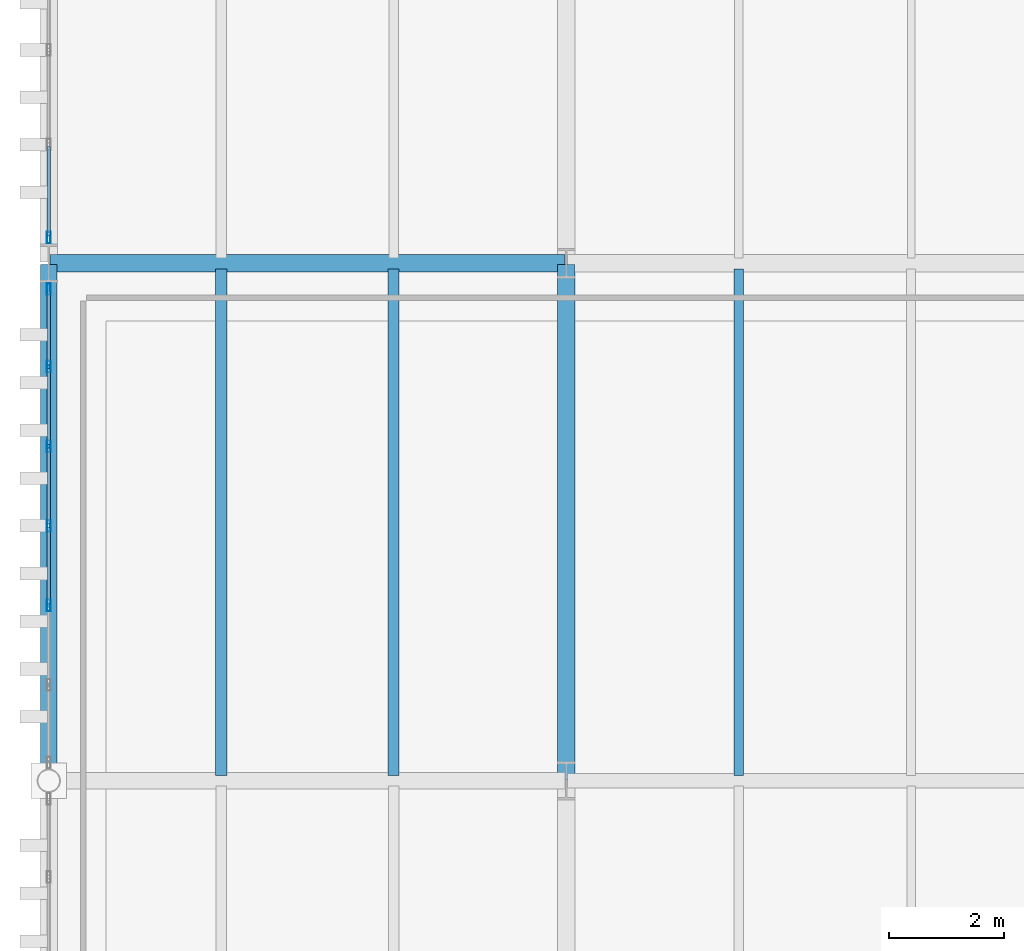
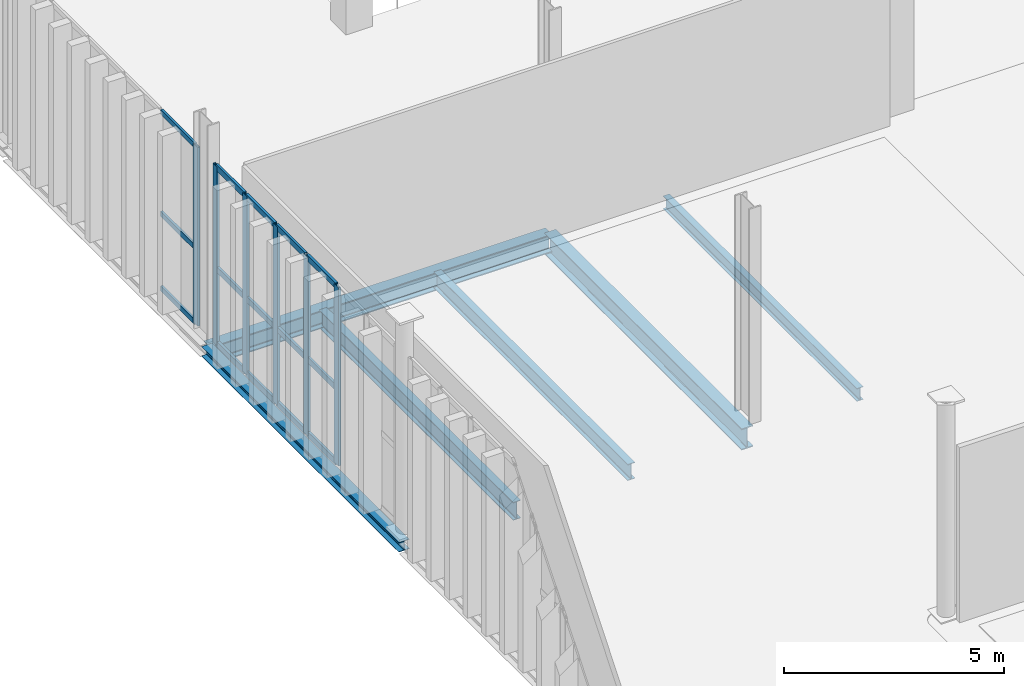
# One storey, part 49 of 211: 21 members, 6 beams, 2 elements without a shape of their own.
"""IFC4 building model written with IfcOpenShell, lengths in metres."""

from ifc_helpers import new_model, si_unit, direction, frame, origin, origin_2d, place, context, subcontext, project, spatial, hollow_rectangle, i_section, extrude, material, layer, layer_set, material_profile, profile_set, type_object, element, aggregate, save


model = new_model("IFC4")

# Units and contexts
model_context = context("Model", 3, precision=1e-05, world=origin(), true_north=direction((0.0, 1.0)))
body_context = subcontext(model_context, "Body", "Model", "MODEL_VIEW")
ifc_project = project(units=[si_unit("LENGTHUNIT", "METRE"), si_unit("AREAUNIT", "SQUARE_METRE"), si_unit("VOLUMEUNIT", "CUBIC_METRE"), si_unit("PLANEANGLEUNIT", "RADIAN"), si_unit("MASSUNIT", "GRAM", prefix="KILO")], contexts=[model_context])

# Site, building, storey
site_placement = place(None, origin())
site = spatial("IfcSite", under=ifc_project, at=site_placement, CompositionType="ELEMENT")
building_placement = place(site_placement, origin())
building = spatial("IfcBuilding", under=site, at=building_placement, Name="Barlavento Convention Centre", CompositionType="ELEMENT")
storey_placement = place(building_placement, frame((0.0, 0.0, 6.0)))
storey = spatial("IfcBuildingStorey", under=building, at=storey_placement, Name="L01", CompositionType="ELEMENT", Elevation=6.0)

# Curtain wall, members
ifc_material_1 = material(Name="Powder-coated aluminium and Low-E glass", Category="aluminium")
ifc_layer_1 = layer(ifc_material_1, 0.18505859375)
ifc_layer_set_1 = layer_set([ifc_layer_1], Name="ARC-CW-CONG-L01")
curtain_wall_type_1 = type_object("IfcCurtainWallType", Name="ARC-CW-CONG-L01", PredefinedType="NOTDEFINED", material=ifc_layer_set_1)
curtain_wall_1_placement = place(storey_placement, origin())
curtain_wall_1 = element("IfcCurtainWall", 1, at=curtain_wall_1_placement, inside=storey, type_object=curtain_wall_type_1, Name="L01 unitised curtain wall CW01", PredefinedType="NOTDEFINED")
ifc_material_2 = material(Name="Powder-coated aluminium", Category="aluminium")
ifc_material_profile_1 = material_profile(ifc_material_2, hollow_rectangle(XDim=0.06494140625, YDim=0.199951171875, WallThickness=0.0048828125, at=origin_2d()), Name="AL-MULL 65x200x5")
ifc_profile_set_1 = profile_set([ifc_material_profile_1], Name="Powder-coated aluminium")
member_type_1 = type_object("IfcMemberType", Name="ARC-CWM-65X200", PredefinedType="MULLION", material=ifc_profile_set_1)
member_1_placement = place(storey_placement, frame((0.0, 48.05078125, 0.0), z_axis=(0.0, 0.0, 1.0), x_axis=(-1.0, 0.0, 0.0)))
member_1 = element("IfcMember", 2, at=member_1_placement, type_object=member_type_1, Name="CW01 mullion 3", PredefinedType="MULLION", context=body_context, shape_type="SweptSolid", body=[
    extrude(hollow_rectangle(XDim=0.06494140625, YDim=0.199951171875, WallThickness=0.0048828125, at=origin_2d()), origin(), (0.0, 0.0, 1.0), 4.949951171875),
])
member_2_placement = place(storey_placement, frame((0.0, 49.4345703125, 0.0), z_axis=(0.0, 0.0, 1.0), x_axis=(-1.0, 0.0, 0.0)))
member_2 = element("IfcMember", 3, at=member_2_placement, type_object=member_type_1, Name="CW01 mullion 4", PredefinedType="MULLION", context=body_context, shape_type="SweptSolid", body=[
    extrude(hollow_rectangle(XDim=0.06494140625, YDim=0.199951171875, WallThickness=0.0048828125, at=origin_2d()), origin(), (0.0, 0.0, 1.0), 4.949951171875),
])
member_3_placement = place(storey_placement, frame((0.0, 50.818359375, 0.0), z_axis=(0.0, 0.0, 1.0), x_axis=(-1.0, 0.0, 0.0)))
member_3 = element("IfcMember", 4, at=member_3_placement, type_object=member_type_1, Name="CW01 mullion 5", PredefinedType="MULLION", context=body_context, shape_type="SweptSolid", body=[
    extrude(hollow_rectangle(XDim=0.06494140625, YDim=0.199951171875, WallThickness=0.0048828125, at=origin_2d()), origin(), (0.0, 0.0, 1.0), 4.949951171875),
])
member_4_placement = place(storey_placement, frame((0.0, 52.2021484375, 0.0), z_axis=(0.0, 0.0, 1.0), x_axis=(-1.0, 0.0, 0.0)))
member_4 = element("IfcMember", 5, at=member_4_placement, type_object=member_type_1, Name="CW01 mullion 6", PredefinedType="MULLION", context=body_context, shape_type="SweptSolid", body=[
    extrude(hollow_rectangle(XDim=0.06494140625, YDim=0.199951171875, WallThickness=0.0048828125, at=origin_2d()), origin(), (0.0, 0.0, 1.0), 4.949951171875),
])
member_5_placement = place(storey_placement, frame((0.0, 53.553466796875, 0.0), z_axis=(0.0, 0.0, 1.0), x_axis=(-1.0, 0.0, 0.0)))
member_5 = element("IfcMember", 6, at=member_5_placement, type_object=member_type_1, Name="CW01 mullion 7", PredefinedType="MULLION", context=body_context, shape_type="SweptSolid", body=[
    extrude(hollow_rectangle(XDim=0.06494140625, YDim=0.199951171875, WallThickness=0.0048828125, at=origin_2d()), origin(), (0.0, 0.0, 1.0), 4.949951171875),
])

ifc_layer_2 = layer(ifc_material_1, 0.179931640625)
ifc_layer_set_2 = layer_set([ifc_layer_2], Name="ARC-CW-EXH-L01")
curtain_wall_type_2 = type_object("IfcCurtainWallType", Name="ARC-CW-EXH-L01", PredefinedType="NOTDEFINED", material=ifc_layer_set_2)
curtain_wall_2_placement = place(storey_placement, origin())
curtain_wall_2 = element("IfcCurtainWall", 7, at=curtain_wall_2_placement, inside=storey, type_object=curtain_wall_type_2, Name="L01 unitised curtain wall CW04", PredefinedType="NOTDEFINED")
member_6_placement = place(storey_placement, frame((0.0, 54.446533203125, 0.0), z_axis=(0.0, 0.0, 1.0), x_axis=(-1.0, 0.0, 0.0)))
member_6 = element("IfcMember", 8, at=member_6_placement, type_object=member_type_1, Name="CW04 mullion 1", PredefinedType="MULLION", context=body_context, shape_type="SweptSolid", body=[
    extrude(hollow_rectangle(XDim=0.06494140625, YDim=0.199951171875, WallThickness=0.0048828125, at=origin_2d()), origin(), (0.0, 0.0, 1.0), 4.949951171875),
])
ifc_material_profile_2 = material_profile(ifc_material_2, hollow_rectangle(XDim=0.06005859375, YDim=0.139892578125, WallThickness=0.00390625, at=origin_2d()), Name="AL-TRAN 60x140x4")
ifc_profile_set_2 = profile_set([ifc_material_profile_2], Name="Powder-coated aluminium")
member_type_2 = type_object("IfcMemberType", Name="ARC-CWT-60X140", PredefinedType="USERDEFINED", material=ifc_profile_set_2)
member_7_placement = place(storey_placement, frame((0.0, 54.47900390625, 0.030029296875), z_axis=(0.0, 1.0, 0.0), x_axis=(-1.0, 0.0, 0.0)))
member_7 = element("IfcMember", 9, at=member_7_placement, type_object=member_type_2, Name="CW04 transom 1.1", ObjectType="TRANSOM", PredefinedType="USERDEFINED", context=body_context, shape_type="SweptSolid", body=[
    extrude(hollow_rectangle(XDim=0.06005859375, YDim=0.139892578125, WallThickness=0.00390625, at=origin_2d()), origin(), (0.0, 0.0, 1.0), 1.55126953125),
])
member_8_placement = place(storey_placement, frame((0.0, 54.47900390625, 2.10009765625), z_axis=(0.0, 1.0, 0.0), x_axis=(-1.0, 0.0, 0.0)))
member_8 = element("IfcMember", 10, at=member_8_placement, type_object=member_type_2, Name="CW04 transom 1.2", ObjectType="TRANSOM", PredefinedType="USERDEFINED", context=body_context, shape_type="SweptSolid", body=[
    extrude(hollow_rectangle(XDim=0.06005859375, YDim=0.139892578125, WallThickness=0.00390625, at=origin_2d()), origin(), (0.0, 0.0, 1.0), 1.55126953125),
])
member_9_placement = place(storey_placement, frame((0.0, 54.47900390625, 4.919921875), z_axis=(0.0, 1.0, 0.0), x_axis=(-1.0, 0.0, 0.0)))
member_9 = element("IfcMember", 11, at=member_9_placement, type_object=member_type_2, Name="CW04 transom 1.3", ObjectType="TRANSOM", PredefinedType="USERDEFINED", context=body_context, shape_type="SweptSolid", body=[
    extrude(hollow_rectangle(XDim=0.06005859375, YDim=0.139892578125, WallThickness=0.00390625, at=origin_2d()), origin(), (0.0, 0.0, 1.0), 1.55126953125),
])
aggregate(curtain_wall_2, [member_6, member_7, member_8, member_9])

# Member
ifc_material_profile_3 = material_profile(ifc_material_2, hollow_rectangle(XDim=0.06494140625, YDim=0.159912109375, WallThickness=0.0048828125, at=origin_2d()), Name="AL-TRAN 65x160x5")
ifc_profile_set_3 = profile_set([ifc_material_profile_3], Name="Powder-coated aluminium")
member_type_3 = type_object("IfcMemberType", Name="ARC-CWT-65X160", PredefinedType="USERDEFINED", material=ifc_profile_set_3)
member_10_placement = place(storey_placement, frame((0.0, 48.083251953125, 0.032470703125), z_axis=(0.0, 1.0, 0.0), x_axis=(-1.0, 0.0, 0.0)))
member_10 = element("IfcMember", 12, at=member_10_placement, type_object=member_type_3, Name="CW01 transom 3.1", ObjectType="TRANSOM", PredefinedType="USERDEFINED", context=body_context, shape_type="SweptSolid", body=[
    extrude(hollow_rectangle(XDim=0.06494140625, YDim=0.159912109375, WallThickness=0.0048828125, at=origin_2d()), origin(), (0.0, 0.0, 1.0), 1.31884765625),
])

member_11_placement = place(storey_placement, frame((0.0, 48.083251953125, 2.10009765625), z_axis=(0.0, 1.0, 0.0), x_axis=(-1.0, 0.0, 0.0)))
member_11 = element("IfcMember", 13, at=member_11_placement, type_object=member_type_3, Name="CW01 transom 3.2", ObjectType="TRANSOM", PredefinedType="USERDEFINED", context=body_context, shape_type="SweptSolid", body=[
    extrude(hollow_rectangle(XDim=0.06494140625, YDim=0.159912109375, WallThickness=0.0048828125, at=origin_2d()), origin(), (0.0, 0.0, 1.0), 1.31884765625),
])

member_12_placement = place(storey_placement, frame((0.0, 48.083251953125, 4.91748046875), z_axis=(0.0, 1.0, 0.0), x_axis=(-1.0, 0.0, 0.0)))
member_12 = element("IfcMember", 14, at=member_12_placement, type_object=member_type_3, Name="CW01 transom 3.3", ObjectType="TRANSOM", PredefinedType="USERDEFINED", context=body_context, shape_type="SweptSolid", body=[
    extrude(hollow_rectangle(XDim=0.06494140625, YDim=0.159912109375, WallThickness=0.0048828125, at=origin_2d()), origin(), (0.0, 0.0, 1.0), 1.31884765625),
])

member_13_placement = place(storey_placement, frame((0.0, 49.467041015625, 0.032470703125), z_axis=(0.0, 1.0, 0.0), x_axis=(-1.0, 0.0, 0.0)))
member_13 = element("IfcMember", 15, at=member_13_placement, type_object=member_type_3, Name="CW01 transom 4.1", ObjectType="TRANSOM", PredefinedType="USERDEFINED", context=body_context, shape_type="SweptSolid", body=[
    extrude(hollow_rectangle(XDim=0.06494140625, YDim=0.159912109375, WallThickness=0.0048828125, at=origin_2d()), origin(), (0.0, 0.0, 1.0), 1.31884765625),
])

member_14_placement = place(storey_placement, frame((0.0, 49.467041015625, 2.10009765625), z_axis=(0.0, 1.0, 0.0), x_axis=(-1.0, 0.0, 0.0)))
member_14 = element("IfcMember", 16, at=member_14_placement, type_object=member_type_3, Name="CW01 transom 4.2", ObjectType="TRANSOM", PredefinedType="USERDEFINED", context=body_context, shape_type="SweptSolid", body=[
    extrude(hollow_rectangle(XDim=0.06494140625, YDim=0.159912109375, WallThickness=0.0048828125, at=origin_2d()), origin(), (0.0, 0.0, 1.0), 1.31884765625),
])

member_15_placement = place(storey_placement, frame((0.0, 49.467041015625, 4.91748046875), z_axis=(0.0, 1.0, 0.0), x_axis=(-1.0, 0.0, 0.0)))
member_15 = element("IfcMember", 17, at=member_15_placement, type_object=member_type_3, Name="CW01 transom 4.3", ObjectType="TRANSOM", PredefinedType="USERDEFINED", context=body_context, shape_type="SweptSolid", body=[
    extrude(hollow_rectangle(XDim=0.06494140625, YDim=0.159912109375, WallThickness=0.0048828125, at=origin_2d()), origin(), (0.0, 0.0, 1.0), 1.31884765625),
])

member_16_placement = place(storey_placement, frame((0.0, 50.850830078125, 0.032470703125), z_axis=(0.0, 1.0, 0.0), x_axis=(-1.0, 0.0, 0.0)))
member_16 = element("IfcMember", 18, at=member_16_placement, type_object=member_type_3, Name="CW01 transom 5.1", ObjectType="TRANSOM", PredefinedType="USERDEFINED", context=body_context, shape_type="SweptSolid", body=[
    extrude(hollow_rectangle(XDim=0.06494140625, YDim=0.159912109375, WallThickness=0.0048828125, at=origin_2d()), origin(), (0.0, 0.0, 1.0), 1.31884765625),
])

member_17_placement = place(storey_placement, frame((0.0, 50.850830078125, 2.10009765625), z_axis=(0.0, 1.0, 0.0), x_axis=(-1.0, 0.0, 0.0)))
member_17 = element("IfcMember", 19, at=member_17_placement, type_object=member_type_3, Name="CW01 transom 5.2", ObjectType="TRANSOM", PredefinedType="USERDEFINED", context=body_context, shape_type="SweptSolid", body=[
    extrude(hollow_rectangle(XDim=0.06494140625, YDim=0.159912109375, WallThickness=0.0048828125, at=origin_2d()), origin(), (0.0, 0.0, 1.0), 1.31884765625),
])

member_18_placement = place(storey_placement, frame((0.0, 50.850830078125, 4.91748046875), z_axis=(0.0, 1.0, 0.0), x_axis=(-1.0, 0.0, 0.0)))
member_18 = element("IfcMember", 20, at=member_18_placement, type_object=member_type_3, Name="CW01 transom 5.3", ObjectType="TRANSOM", PredefinedType="USERDEFINED", context=body_context, shape_type="SweptSolid", body=[
    extrude(hollow_rectangle(XDim=0.06494140625, YDim=0.159912109375, WallThickness=0.0048828125, at=origin_2d()), origin(), (0.0, 0.0, 1.0), 1.31884765625),
])

member_19_placement = place(storey_placement, frame((0.0, 52.234619140625, 0.032470703125), z_axis=(0.0, 1.0, 0.0), x_axis=(-1.0, 0.0, 0.0)))
member_19 = element("IfcMember", 21, at=member_19_placement, type_object=member_type_3, Name="CW01 transom 6.1", ObjectType="TRANSOM", PredefinedType="USERDEFINED", context=body_context, shape_type="SweptSolid", body=[
    extrude(hollow_rectangle(XDim=0.06494140625, YDim=0.159912109375, WallThickness=0.0048828125, at=origin_2d()), origin(), (0.0, 0.0, 1.0), 1.286376953125),
])

member_20_placement = place(storey_placement, frame((0.0, 52.234619140625, 2.10009765625), z_axis=(0.0, 1.0, 0.0), x_axis=(-1.0, 0.0, 0.0)))
member_20 = element("IfcMember", 22, at=member_20_placement, type_object=member_type_3, Name="CW01 transom 6.2", ObjectType="TRANSOM", PredefinedType="USERDEFINED", context=body_context, shape_type="SweptSolid", body=[
    extrude(hollow_rectangle(XDim=0.06494140625, YDim=0.159912109375, WallThickness=0.0048828125, at=origin_2d()), origin(), (0.0, 0.0, 1.0), 1.286376953125),
])

member_21_placement = place(storey_placement, frame((0.0, 52.234619140625, 4.91748046875), z_axis=(0.0, 1.0, 0.0), x_axis=(-1.0, 0.0, 0.0)))
member_21 = element("IfcMember", 23, at=member_21_placement, type_object=member_type_3, Name="CW01 transom 6.3", ObjectType="TRANSOM", PredefinedType="USERDEFINED", context=body_context, shape_type="SweptSolid", body=[
    extrude(hollow_rectangle(XDim=0.06494140625, YDim=0.159912109375, WallThickness=0.0048828125, at=origin_2d()), origin(), (0.0, 0.0, 1.0), 1.286376953125),
])

aggregate(curtain_wall_1, [member_1, member_2, member_3, member_4, member_5, member_10, member_11, member_12, member_13, member_14, member_15, member_16, member_17, member_18, member_19, member_20, member_21])

# Beams
ifc_material_3 = material(Name="Steel S355", Category="steel")
ifc_material_profile_4 = material_profile(ifc_material_3, i_section(OverallWidth=0.169921875, OverallDepth=0.360107421875, WebThickness=0.008056640625, FlangeThickness=0.0126953125, FilletRadius=0.01806640625, at=origin_2d()), Name="IPE 360")
ifc_profile_set_4 = profile_set([ifc_material_profile_4], Name="Steel S355")
beam_type_1 = type_object("IfcBeamType", Name="STR-BM-JST-IPE360", PredefinedType="JOIST", material=ifc_profile_set_4)
beam_1_placement = place(storey_placement, frame((12.0, 45.094970703125, -0.47998046875), z_axis=(0.0, 1.0, 0.0), x_axis=(-1.0, 0.0, 0.0)))
element("IfcBeam", 24, at=beam_1_placement, inside=storey, type_object=beam_type_1, Name="L01 composite floor joist SJ05", PredefinedType="JOIST", context=body_context, shape_type="SweptSolid", body=[
    extrude(i_section(OverallWidth=0.169921875, OverallDepth=0.360107421875, WebThickness=0.008056640625, FlangeThickness=0.0126953125, FilletRadius=0.01806640625, at=origin_2d()), origin(), (0.0, 0.0, 1.0), 8.81005859375),
])
ifc_material_profile_5 = material_profile(ifc_material_3, i_section(OverallWidth=0.18994140625, OverallDepth=0.449951171875, WebThickness=0.009521484375, FlangeThickness=0.0146484375, FilletRadius=0.02099609375, at=origin_2d()), Name="IPE 450")
ifc_profile_set_5 = profile_set([ifc_material_profile_5], Name="Steel S355")
beam_type_2 = type_object("IfcBeamType", Name="STR-BM-JST-IPE450", PredefinedType="JOIST", material=ifc_profile_set_5)
beam_2_placement = place(storey_placement, frame((6.0, 45.094970703125, -0.52490234375), z_axis=(0.0, 1.0, 0.0), x_axis=(-1.0, 0.0, 0.0)))
element("IfcBeam", 25, at=beam_2_placement, inside=storey, type_object=beam_type_2, Name="L01 composite floor joist SJ03", PredefinedType="JOIST", context=body_context, shape_type="SweptSolid", body=[
    extrude(i_section(OverallWidth=0.18994140625, OverallDepth=0.449951171875, WebThickness=0.009521484375, FlangeThickness=0.0146484375, FilletRadius=0.02099609375, at=origin_2d()), origin(), (0.0, 0.0, 1.0), 8.81005859375),
])
ifc_material_profile_6 = material_profile(ifc_material_3, i_section(OverallWidth=0.199951171875, OverallDepth=0.5, WebThickness=0.01025390625, FlangeThickness=0.01611328125, FilletRadius=0.02099609375, at=origin_2d()), Name="IPE 500")
ifc_profile_set_6 = profile_set([ifc_material_profile_6], Name="Steel S355")
beam_type_3 = type_object("IfcBeamType", Name="STR-BM-JST-IPE500", PredefinedType="JOIST", material=ifc_profile_set_6)
beam_3_placement = place(storey_placement, frame((3.0, 45.094970703125, -0.550048828125), z_axis=(0.0, 1.0, 0.0), x_axis=(-1.0, 0.0, 0.0)))
element("IfcBeam", 26, at=beam_3_placement, inside=storey, type_object=beam_type_3, Name="L01 composite floor joist SJ02", PredefinedType="JOIST", context=body_context, shape_type="SweptSolid", body=[
    extrude(i_section(OverallWidth=0.199951171875, OverallDepth=0.5, WebThickness=0.01025390625, FlangeThickness=0.01611328125, FilletRadius=0.02099609375, at=origin_2d()), origin(), (0.0, 0.0, 1.0), 8.81005859375),
])
ifc_material_profile_7 = material_profile(ifc_material_3, i_section(OverallWidth=0.300048828125, OverallDepth=0.590087890625, WebThickness=0.012939453125, FlangeThickness=0.02490234375, FilletRadius=0.027099609375, at=origin_2d()), Name="HEA 600")
ifc_profile_set_7 = profile_set([ifc_material_profile_7], Name="Steel S355")
beam_type_4 = type_object("IfcBeamType", Name="STR-BM-PRI-HEA600", PredefinedType="BEAM", material=ifc_profile_set_7)
beam_4_placement = place(storey_placement, frame((9.0, 45.02001953125, -0.594970703125), z_axis=(0.0, 1.0, 0.0), x_axis=(-1.0, 0.0, 0.0)))
element("IfcBeam", 27, at=beam_4_placement, inside=storey, type_object=beam_type_4, Name="L01 grid girder BG18", PredefinedType="BEAM", context=body_context, shape_type="SweptSolid", body=[
    extrude(i_section(OverallWidth=0.300048828125, OverallDepth=0.590087890625, WebThickness=0.012939453125, FlangeThickness=0.02490234375, FilletRadius=0.027099609375, at=origin_2d()), origin(), (0.0, 0.0, 1.0), 8.9599609375),
])
ifc_material_profile_8 = material_profile(ifc_material_3, i_section(OverallWidth=0.300048828125, OverallDepth=0.5, WebThickness=0.014404296875, FlangeThickness=0.028076171875, FilletRadius=0.027099609375, at=origin_2d()), Name="HEB 500")
ifc_profile_set_8 = profile_set([ifc_material_profile_8], Name="Steel S355")
beam_type_5 = type_object("IfcBeamType", Name="STR-BM-PRI-HEB500", PredefinedType="BEAM", material=ifc_profile_set_8)
beam_5_placement = place(storey_placement, frame((0.02001953125, 54.0, -0.550048828125), z_axis=(1.0, 0.0, 0.0), x_axis=(0.0, 1.0, 0.0)))
element("IfcBeam", 28, at=beam_5_placement, inside=storey, type_object=beam_type_5, Name="L01 primary girder BG09", PredefinedType="BEAM", context=body_context, shape_type="SweptSolid", body=[
    extrude(i_section(OverallWidth=0.300048828125, OverallDepth=0.5, WebThickness=0.014404296875, FlangeThickness=0.028076171875, FilletRadius=0.027099609375, at=origin_2d()), origin(), (0.0, 0.0, 1.0), 8.9599609375),
])
ifc_material_profile_9 = material_profile(ifc_material_3, i_section(OverallWidth=0.280029296875, OverallDepth=0.27001953125, WebThickness=0.008056640625, FlangeThickness=0.012939453125, FilletRadius=0.02392578125, at=origin_2d()), Name="HEA 280")
ifc_profile_set_9 = profile_set([ifc_material_profile_9], Name="Steel S355")
beam_type_6 = type_object("IfcBeamType", Name="STR-BM-SPN-HEA280", PredefinedType="SPANDREL", material=ifc_profile_set_9)
beam_6_placement = place(storey_placement, frame((0.0, 45.02001953125, -0.43505859375), z_axis=(0.0, 1.0, 0.0), x_axis=(-1.0, 0.0, 0.0)))
element("IfcBeam", 29, at=beam_6_placement, inside=storey, type_object=beam_type_6, Name="L01 grid girder SP03", PredefinedType="SPANDREL", context=body_context, shape_type="SweptSolid", body=[
    extrude(i_section(OverallWidth=0.280029296875, OverallDepth=0.27001953125, WebThickness=0.008056640625, FlangeThickness=0.012939453125, FilletRadius=0.02392578125, at=origin_2d()), origin(), (0.0, 0.0, 1.0), 8.9599609375),
])

save(model, "model.ifc")
